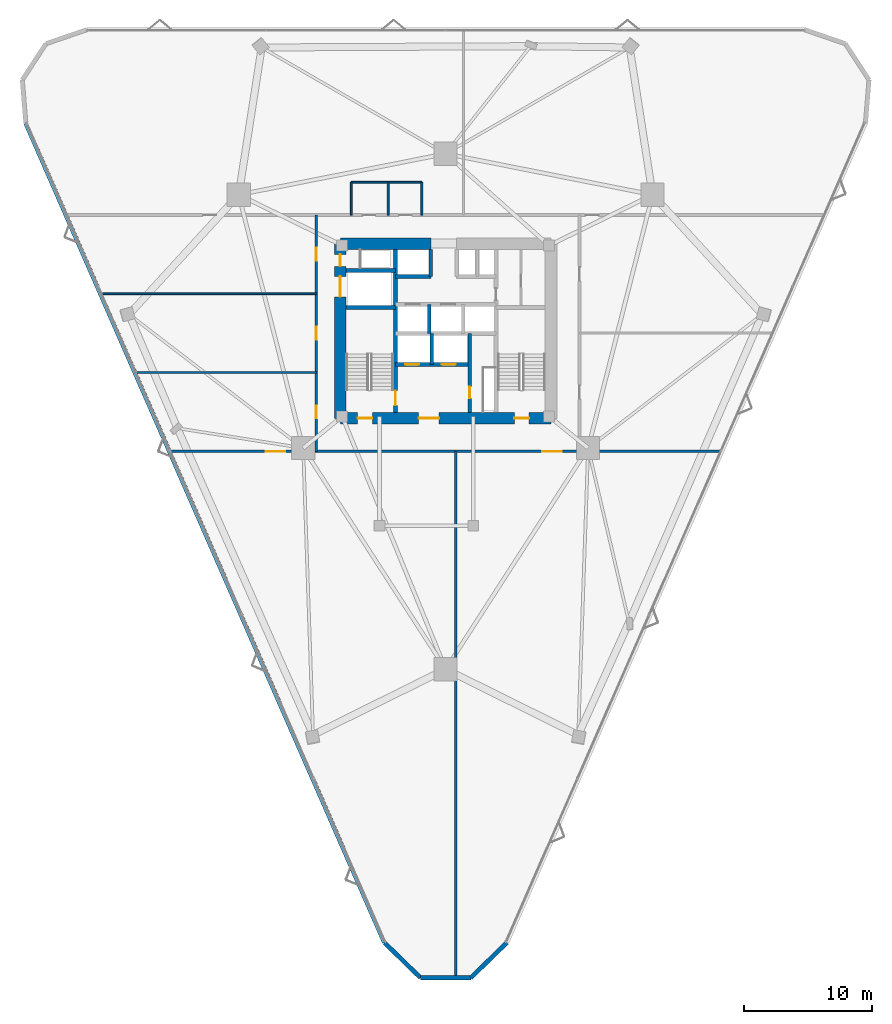
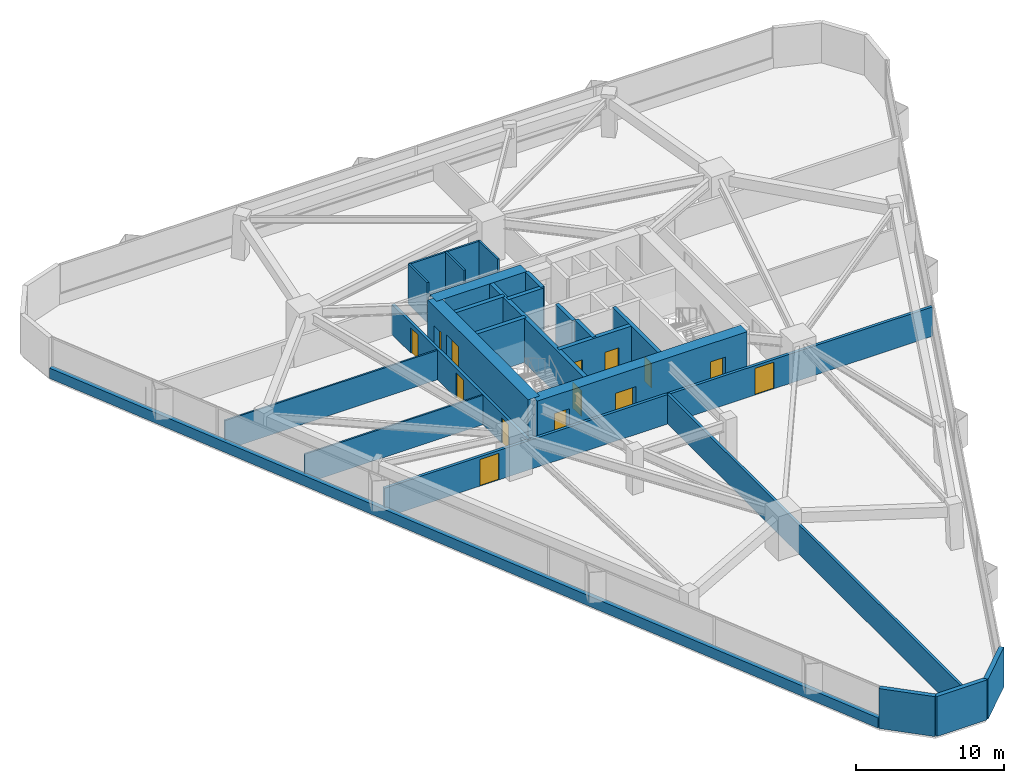
# One storey, part 17 of 20: 25 walls, 14 doors, 14 openings.
"""IFC4 building model written with IfcOpenShell, lengths in metres."""

import ifcopenshell
import ifcopenshell.guid

model = None  # the IFC model being written
_history = None  # IfcOwnerHistory: only IFC2X3 demands one
_inside = {}  # id of a spatial element -> (the spatial element, [elements in it])
_under = {}  # id of a project, library or spatial element -> (it, [spatial elements below it])
_declared = {}  # id of a project -> (the project, [libraries it declares])
_typed = {}  # id of a type object -> (the type object, [elements of that type])
_made_of = {}  # id of a material, layer set ... -> (it, [elements and type objects made of it])


def new_model(schema):
    """Start an empty IFC model of exactly this schema.

    Asked for "IFC4X3", IfcOpenShell would pick the latest addendum, in which some entities
    have other attributes; the version numbers below select the first issue.
    IFC2X3 requires an IfcOwnerHistory on every rooted entity: one is made here for all.
    """
    global model, _history
    if schema == "IFC4X3":
        model = ifcopenshell.file(schema_version=(4, 3, 0, 0))
    else:
        model = ifcopenshell.file(schema=schema)
    _inside.clear()
    _under.clear()
    _declared.clear()
    _typed.clear()
    _made_of.clear()
    _history = None
    if model.schema == "IFC2X3":
        org = make("IfcOrganization", Name="unknown")
        user = make(
            "IfcPersonAndOrganization",
            ThePerson=make("IfcPerson", FamilyName="unknown"),
            TheOrganization=org,
        )
        app = make(
            "IfcApplication",
            ApplicationDeveloper=org,
            Version="unknown",
            ApplicationFullName="unknown",
            ApplicationIdentifier="unknown",
        )
        _history = make(
            "IfcOwnerHistory",
            OwningUser=user,
            OwningApplication=app,
            ChangeAction="ADDED",
            CreationDate=0,
        )
    return model


def make(cls, **values):
    """One entity of the class cls with the attributes given. An attribute that is None is left unset."""
    return model.create_entity(
        cls, **{name: value for name, value in values.items() if value is not None}
    )


def rooted(cls, **values):
    """An entity with a GlobalId (a new one), such as an element, a storey or a relation."""
    return make(cls, GlobalId=ifcopenshell.guid.new(), OwnerHistory=_history, **values)


def si_unit(unit_type, name, prefix=None):
    """IfcSIUnit, for example si_unit("LENGTHUNIT", "METRE", prefix="MILLI")."""
    return make("IfcSIUnit", UnitType=unit_type, Prefix=prefix, Name=name)


def assignment(units):
    """IfcUnitAssignment: the units of a project."""
    return None if units is None else make("IfcUnitAssignment", Units=units)


def point(xyz):
    """IfcCartesianPoint."""
    return None if xyz is None else make("IfcCartesianPoint", Coordinates=xyz)


def direction(xyz):
    """IfcDirection."""
    return None if xyz is None else make("IfcDirection", DirectionRatios=xyz)


def frame(location, z_axis=None, x_axis=None):
    """IfcAxis2Placement3D, a coordinate frame: its origin and axes. An axis left out is left unset."""
    return make(
        "IfcAxis2Placement3D",
        Location=point(location),
        Axis=direction(z_axis),
        RefDirection=direction(x_axis),
    )


def frame_2d(location, x_axis=None):
    """IfcAxis2Placement2D, a coordinate frame in the plane: its origin and x axis."""
    return make(
        "IfcAxis2Placement2D", Location=point(location), RefDirection=direction(x_axis)
    )


def origin():
    """The frame at (0, 0, 0) with its axes left unset."""
    return frame((0.0, 0.0, 0.0))


def place(relative_to, where):
    """IfcLocalPlacement: puts the frame where relative to a parent placement (None: the world)."""
    return make(
        "IfcLocalPlacement", PlacementRelTo=relative_to, RelativePlacement=where
    )


def context(
    kind, dimensions, precision=None, world=None, true_north=None, identifier=None
):
    """IfcGeometricRepresentationContext, for example the 3D "Model" context."""
    return make(
        "IfcGeometricRepresentationContext",
        ContextIdentifier=identifier,
        ContextType=kind,
        CoordinateSpaceDimension=dimensions,
        Precision=precision,
        WorldCoordinateSystem=world,
        TrueNorth=true_north,
    )


def subcontext(parent, identifier, kind, view, scale=None):
    """IfcGeometricRepresentationSubContext, for example "Body" below "Model"."""
    return make(
        "IfcGeometricRepresentationSubContext",
        ContextIdentifier=identifier,
        ContextType=kind,
        ParentContext=parent,
        TargetScale=scale,
        TargetView=view,
    )


def project(units=None, contexts=None):
    """IfcProject with its units and contexts."""
    return rooted(
        "IfcProject",
        Name="project",
        RepresentationContexts=contexts,
        UnitsInContext=assignment(units),
    )


def spatial(cls, under=None, at=None, **own):
    """A site, building, storey or space (cls), placed at a placement, below another one or the project."""
    s = rooted(cls, ObjectPlacement=at, **own)
    if under is not None:
        _under.setdefault(under.id(), (under, []))[1].append(s)
    return s


def profile(cls, at=None, kind="AREA", **sizes):
    """A parametric profile (cls). Its sizes go by their IFC names, for example OverallWidth=200.0."""
    return make(cls, ProfileType=kind, Position=at, **sizes)


def rectangle(**sizes):
    """IfcRectangleProfileDef."""
    return profile("IfcRectangleProfileDef", **sizes)


def extrude(swept, where, along, depth):
    """IfcExtrudedAreaSolid: the profile swept, set in the frame where, extruded along a direction by depth."""
    return make(
        "IfcExtrudedAreaSolid",
        SweptArea=swept,
        Position=where,
        ExtrudedDirection=direction(along),
        Depth=depth,
    )


def shape(context_of_items, identifier, shape_type, items):
    """IfcShapeRepresentation: the items that make up one representation, for example the "Body"."""
    return make(
        "IfcShapeRepresentation",
        ContextOfItems=context_of_items,
        RepresentationIdentifier=identifier,
        RepresentationType=shape_type,
        Items=items,
    )


def material(Name=None, Category=None):
    """IfcMaterial."""
    return make("IfcMaterial", Name=Name, Category=Category)


def layer(
    of_material, thickness, ventilated=None, Name=None, Category=None, Priority=None
):
    """IfcMaterialLayer: one layer of a wall or slab, of a material (None: an air gap)."""
    return make(
        "IfcMaterialLayer",
        Material=of_material,
        LayerThickness=thickness,
        IsVentilated=ventilated,
        Name=Name,
        Category=Category,
        Priority=Priority,
    )


def layer_set(layers, Name=None):
    """IfcMaterialLayerSet."""
    return make("IfcMaterialLayerSet", MaterialLayers=layers, LayerSetName=Name)


def made_of(thing, what):
    """Note that an element or type object is made of a material, layer set ...; save() writes the relation."""
    if what is not None:
        _made_of.setdefault(what.id(), (what, []))[1].append(thing)
    return thing


def type_object(cls, material=None, **own):
    """A type object (cls), such as IfcWallType, which elements share."""
    return made_of(rooted(cls, **own), material)


def element(
    cls,
    number,
    at=None,
    inside=None,
    cuts=None,
    type_object=None,
    material=None,
    context=None,
    identifier="Body",
    shape_type=None,
    held_by="IfcProductDefinitionShape",
    body=None,
    shapes=None,
    **own,
):
    """One element of the class cls, such as IfcWall. Its Tag is "e" and its number.

    at: its placement. inside: the storey or other place that contains it. cuts: it is an
    opening in that element (IfcRelVoidsElement). A single representation is given by context,
    identifier, shape_type and body (its items); several are given by shapes. held_by: the class
    of the entity that holds the representations. save() writes the other relations.
    """
    e = rooted(cls, Tag="e%d" % number, ObjectPlacement=at, **own)
    if body is not None:
        shapes = [shape(context, identifier, shape_type, body)]
    if shapes is not None:
        e.Representation = make(held_by, Representations=shapes)
    if inside is not None:
        _inside.setdefault(inside.id(), (inside, []))[1].append(e)
    if cuts is not None:
        rooted(
            "IfcRelVoidsElement", RelatingBuildingElement=cuts, RelatedOpeningElement=e
        )
    if type_object is not None:
        _typed.setdefault(type_object.id(), (type_object, []))[1].append(e)
    return made_of(e, material)


def fill(opening, filler):
    """IfcRelFillsElement: the door or window that sits in an opening."""
    return rooted(
        "IfcRelFillsElement",
        RelatingOpeningElement=opening,
        RelatedBuildingElement=filler,
    )


def aggregate(whole, parts):
    """IfcRelAggregates: a whole, such as a stair, and the parts it consists of."""
    return rooted("IfcRelAggregates", RelatingObject=whole, RelatedObjects=parts)


def save(model, path):
    """Write the relations noted so far, then the file.

    IfcRelAggregates (storeys below a building ...), IfcRelContainedInSpatialStructure (elements
    in a storey), IfcRelDefinesByType, IfcRelAssociatesMaterial and IfcRelDeclares: one each for
    every whole, place, type object, material and project.
    """
    for whole, parts in _under.values():
        aggregate(whole, parts)
    for where, things in _inside.values():
        rooted(
            "IfcRelContainedInSpatialStructure",
            RelatedElements=things,
            RelatingStructure=where,
        )
    for kind, things in _typed.values():
        rooted("IfcRelDefinesByType", RelatedObjects=things, RelatingType=kind)
    for what, things in _made_of.values():
        rooted("IfcRelAssociatesMaterial", RelatedObjects=things, RelatingMaterial=what)
    for by, libraries in _declared.values():
        rooted("IfcRelDeclares", RelatingContext=by, RelatedDefinitions=libraries)
    model.write(path)


model = new_model("IFC4")

# Units and contexts
model_context = context("Model", 3, precision=1e-05, world=origin(), true_north=direction((0.0, 1.0)))
body_context = subcontext(model_context, "Body", "Model", "MODEL_VIEW")
ifc_project = project(units=[si_unit("LENGTHUNIT", "METRE"), si_unit("AREAUNIT", "SQUARE_METRE"), si_unit("VOLUMEUNIT", "CUBIC_METRE"), si_unit("PLANEANGLEUNIT", "RADIAN"), si_unit("MASSUNIT", "GRAM", prefix="KILO")], contexts=[model_context])

# Site, building, storey
site_placement = place(None, origin())
site = spatial("IfcSite", under=ifc_project, at=site_placement, CompositionType="ELEMENT")
building_placement = place(site_placement, origin())
building = spatial("IfcBuilding", under=site, at=building_placement, Name="Talyreon Biosciences Tower", CompositionType="ELEMENT")
storey_placement = place(building_placement, frame((0.0, 0.0, 62.949951171875)))
storey = spatial("IfcBuildingStorey", under=building, at=storey_placement, Name="L16", CompositionType="ELEMENT", Elevation=62.949951171875)

# Walls
ifc_material_1 = material(Name="Gypsum fireboard acoustic stud", Category="gypsum")
ifc_layer_1 = layer(ifc_material_1, 0.199951171875)
ifc_layer_set_1 = layer_set([ifc_layer_1], Name="Gypsum fireboard acoustic stud")
wall_type_1 = type_object("IfcWallType", Name="ChemControlPartition_200", PredefinedType="PARTITIONING", material=ifc_layer_set_1)
wall_1_placement = place(storey_placement, frame((66.800048828125, 17.7431640625, 0.0), z_axis=(0.0, 0.0, 1.0), x_axis=(0.0, 1.0, 0.0)))
element("IfcWall", 1, at=wall_1_placement, inside=storey, type_object=wall_type_1, Name="L16 Interior Wall IW-L16-SDIV1", PredefinedType="PARTITIONING", context=body_context, shape_type="SweptSolid", body=[
    extrude(rectangle(XDim=40.88671875, YDim=0.199951171875, at=frame_2d((20.443359375, 0.0))), origin(), (0.0, 0.0, 1.0), 2.429931640625),
])
ifc_material_2 = material(Name="Concrete C50/60", Category="concrete")
ifc_layer_2 = layer(ifc_material_2, 0.280029296875)
ifc_layer_set_2 = layer_set([ifc_layer_2], Name="Concrete C50/60")
wall_type_2 = type_object("IfcWallType", Name="CoreShearWall_280", PredefinedType="SHEAR", material=ifc_layer_set_2)
wall_2_placement = place(storey_placement, frame((64.919921875, 65.39990234375, 0.0), z_axis=(0.0, 0.0, 1.0), x_axis=(0.0, 1.0, 0.0)))
element("IfcWall", 2, at=wall_2_placement, inside=storey, type_object=wall_type_2, Name="L16 Core Shaft Wall SWSHD1", PredefinedType="SHEAR", context=body_context, shape_type="SweptSolid", body=[
    extrude(rectangle(XDim=2.400146484375, YDim=0.280029296875, at=frame_2d((1.2001953125, 0.0))), origin(), (0.0, 0.0, 1.0), 3.650146484375),
])
wall_3_placement = place(storey_placement, frame((64.85009765625, 72.25, 0.0), z_axis=(0.0, 0.0, 1.0), x_axis=(0.0, 1.0, 0.0)))
element("IfcWall", 3, at=wall_3_placement, inside=storey, type_object=wall_type_2, Name="L16 Core Shaft Wall SWTHW", PredefinedType="SHEAR", context=body_context, shape_type="SweptSolid", body=[
    extrude(rectangle(XDim=2.10009765625, YDim=0.280029296875, at=frame_2d((1.050048828125, 0.0))), origin(), (0.0, 0.0, 1.0), 3.650146484375),
])

# Wall, opening, door
wall_4_placement = place(storey_placement, frame((67.8798828125, 61.64990234375, 0.0), z_axis=(0.0, 0.0, 1.0), x_axis=(0.0, 1.0, 0.0)))
wall_4 = element("IfcWall", 4, at=wall_4_placement, inside=storey, type_object=wall_type_2, Name="L16 Core Shaft Wall SWFFE", PredefinedType="SHEAR", context=body_context, shape_type="SweptSolid", body=[
    extrude(rectangle(XDim=6.150146484375, YDim=0.280029296875, at=frame_2d((3.0751953125, 0.0))), origin(), (0.0, 0.0, 1.0), 3.650146484375),
])
opening_1_placement = place(wall_4_placement, frame((1.10009765625, 0.0, 0.0)))
opening_1 = element("IfcOpeningElement", 5, at=opening_1_placement, cuts=wall_4, Name="Opening DR-L16-RSE", PredefinedType="OPENING", context=body_context, shape_type="SweptSolid", body=[
    extrude(rectangle(XDim=0.919921875, YDim=2.050048828125, at=frame_2d((0.4599609375, 1.02490234375))), frame((0.0, 0.14990234375, 0.0), z_axis=(0.0, -1.0, 0.0), x_axis=(1.0, 0.0, 0.0)), (0.0, 0.0, 1.0), 0.300048828125),
])
ifc_material_3 = material(Name="Painted steel fire-rated riser door", Category="steel")
door_type_1 = type_object("IfcDoorType", Name="RiserPlantAccessDoor_920x2050", OperationType="NOTDEFINED", PredefinedType="DOOR", material=ifc_material_3)
door_1_placement = place(opening_1_placement, origin())
door_1 = element("IfcDoor", 6, at=door_1_placement, inside=storey, type_object=door_type_1, Name="L16 Core Door DR-L16-RSE", OperationType="SINGLE_SWING_RIGHT", OverallHeight=2.050048828125, OverallWidth=0.919921875, PredefinedType="DOOR", context=body_context, shape_type="SweptSolid", body=[
    extrude(rectangle(XDim=0.919921875, YDim=2.050048828125, at=frame_2d((0.4599609375, 1.02490234375))), frame((0.0, 0.02490234375, 0.0), z_axis=(0.0, -1.0, 0.0), x_axis=(1.0, 0.0, 0.0)), (0.0, 0.0, 1.0), 0.050048828125),
])
fill(opening_1, door_1)

# Wall
wall_5_placement = place(storey_placement, frame((64.719970703125, 67.800048828125, 0.0), z_axis=(0.0, 0.0, 1.0), x_axis=(0.0, 1.0, 0.0)))
element("IfcWall", 7, at=wall_5_placement, inside=storey, type_object=wall_type_2, Name="L16 Core Shaft Wall SWPLD", PredefinedType="SHEAR", context=body_context, shape_type="SweptSolid", body=[
    extrude(rectangle(XDim=2.25, YDim=0.280029296875, at=frame_2d((1.125, 0.0))), origin(), (0.0, 0.0, 1.0), 3.650146484375),
])

# Wall, opening, door
ifc_layer_3 = layer(ifc_material_2, 0.320068359375)
ifc_layer_set_3 = layer_set([ifc_layer_3], Name="Concrete C50/60")
wall_type_3 = type_object("IfcWallType", Name="CoreShearWall_320", PredefinedType="SHEAR", material=ifc_layer_set_3)
wall_6_placement = place(storey_placement, frame((62.090087890625, 61.64990234375, 0.0), z_axis=(0.0, 0.0, 1.0), x_axis=(0.0, 1.0, 0.0)))
wall_6 = element("IfcWall", 8, at=wall_6_placement, inside=storey, type_object=wall_type_3, Name="L16 Core Shaft Wall SW1E", PredefinedType="SHEAR", context=body_context, shape_type="SweptSolid", body=[
    extrude(rectangle(XDim=12.7001953125, YDim=0.320068359375, at=frame_2d((6.35009765625, 0.0))), origin(), (0.0, 0.0, 1.0), 3.650146484375),
])
opening_2_placement = place(wall_6_placement, frame((0.550048828125, 0.0, 0.0)))
opening_2 = element("IfcOpeningElement", 9, at=opening_2_placement, cuts=wall_6, Name="Opening DR-L16-FF-ST1", PredefinedType="OPENING", context=body_context, shape_type="SweptSolid", body=[
    extrude(rectangle(XDim=1.14990234375, YDim=2.14990234375, at=frame_2d((0.574951171875, 1.074951171875))), frame((0.0, 0.169921875, 0.0), z_axis=(0.0, -1.0, 0.0), x_axis=(1.0, 0.0, 0.0)), (0.0, 0.0, 1.0), 0.340087890625),
])
ifc_material_4 = material(Name="Painted steel fire door", Category="steel")
door_type_2 = type_object("IfcDoorType", Name="StairShaftFireDoor_1150x2150", OperationType="NOTDEFINED", PredefinedType="DOOR", material=ifc_material_4)
door_2_placement = place(opening_2_placement, origin())
door_2 = element("IfcDoor", 10, at=door_2_placement, inside=storey, type_object=door_type_2, Name="L16 Core Door DR-L16-FF-ST1", OperationType="SINGLE_SWING_LEFT", OverallHeight=2.14990234375, OverallWidth=1.14990234375, PredefinedType="DOOR", context=body_context, shape_type="SweptSolid", body=[
    extrude(rectangle(XDim=1.14990234375, YDim=2.14990234375, at=frame_2d((0.574951171875, 1.074951171875))), frame((0.0, 0.02490234375, 0.0), z_axis=(0.0, -1.0, 0.0), x_axis=(1.0, 0.0, 0.0)), (0.0, 0.0, 1.0), 0.050048828125),
])
fill(opening_2, door_2)

# Walls
for number, where, z_axis, x_axis, name in (
    (11, (58.25, 69.81005859375, 0.0), (0.0, 0.0, 1.0), (1.0, 0.0, 0.0), "L16 Core Shaft Wall SW1N"),
    (12, (58.25, 72.699951171875, 0.0), (0.0, 0.0, 1.0), (1.0, 0.0, 0.0), "L16 Core Shaft Wall SWGLN"),
):
    element("IfcWall", number, at=place(storey_placement, frame(where, z_axis=z_axis, x_axis=x_axis)), inside=storey, type_object=wall_type_3, Name=name, PredefinedType="SHEAR", context=body_context, shape_type="SweptSolid", body=[
        extrude(rectangle(XDim=3.840087890625, YDim=0.320068359375, at=frame_2d((1.919921875, 0.0))), origin(), (0.0, 0.0, 1.0), 3.650146484375),
    ])
wall_7_placement = place(storey_placement, frame((62.090087890625, 72.25, 0.0), z_axis=(0.0, 0.0, 1.0), x_axis=(1.0, 0.0, 0.0)))
element("IfcWall", 13, at=wall_7_placement, inside=storey, type_object=wall_type_3, Name="L16 Core Shaft Wall SWNPW", PredefinedType="SHEAR", context=body_context, shape_type="SweptSolid", body=[
    extrude(rectangle(XDim=2.760009765625, YDim=0.320068359375, at=frame_2d((1.3798828125, 0.0))), origin(), (0.0, 0.0, 1.0), 3.650146484375),
])

# Wall, openings, doors
wall_8_placement = place(storey_placement, frame((62.090087890625, 65.39990234375, 0.0), z_axis=(0.0, 0.0, 1.0), x_axis=(1.0, 0.0, 0.0)))
wall_8 = element("IfcWall", 14, at=wall_8_placement, inside=storey, type_object=wall_type_3, Name="L16 Core Shaft Wall SWFFN", PredefinedType="SHEAR", context=body_context, shape_type="SweptSolid", body=[
    extrude(rectangle(XDim=5.789794921875, YDim=0.320068359375, at=frame_2d((2.89501953125, 0.0))), origin(), (0.0, 0.0, 1.0), 3.650146484375),
])
opening_3_placement = place(wall_8_placement, frame((0.75, 0.0, 0.0)))
opening_3 = element("IfcOpeningElement", 15, at=opening_3_placement, cuts=wall_8, Name="Opening LD-L16-FL1", PredefinedType="OPENING", context=body_context, shape_type="SweptSolid", body=[
    extrude(rectangle(XDim=1.10009765625, YDim=2.199951171875, at=frame_2d((0.550048828125, 1.10009765625))), frame((0.0, 0.169921875, 0.0), z_axis=(0.0, -1.0, 0.0), x_axis=(1.0, 0.0, 0.0)), (0.0, 0.0, 1.0), 0.340087890625),
])
opening_4_placement = place(wall_8_placement, frame((3.60009765625, 0.0, 0.0)))
opening_4 = element("IfcOpeningElement", 16, at=opening_4_placement, cuts=wall_8, Name="Opening LD-L16-FL2", PredefinedType="OPENING", context=body_context, shape_type="SweptSolid", body=[
    extrude(rectangle(XDim=1.10009765625, YDim=2.199951171875, at=frame_2d((0.550048828125, 1.10009765625))), frame((0.0, 0.169921875, 0.0), z_axis=(0.0, -1.0, 0.0), x_axis=(1.0, 0.0, 0.0)), (0.0, 0.0, 1.0), 0.340087890625),
])
ifc_material_5 = material(Name="Brushed stainless-steel lift landing door", Category="steel")
door_type_3 = type_object("IfcDoorType", Name="LiftSlidingLandingDoor_1100x2200", OperationType="SLIDING_TO_LEFT", PredefinedType="DOOR", material=ifc_material_5)
door_3_placement = place(opening_3_placement, origin())
door_3 = element("IfcDoor", 17, at=door_3_placement, inside=storey, type_object=door_type_3, Name="L16 Core Door LD-L16-FL1", OperationType="SLIDING_TO_LEFT", OverallHeight=2.199951171875, OverallWidth=1.10009765625, PredefinedType="DOOR", context=body_context, shape_type="SweptSolid", body=[
    extrude(rectangle(XDim=1.10009765625, YDim=2.199951171875, at=frame_2d((0.550048828125, 1.10009765625))), frame((0.0, 0.02490234375, 0.0), z_axis=(0.0, -1.0, 0.0), x_axis=(1.0, 0.0, 0.0)), (0.0, 0.0, 1.0), 0.050048828125),
])
fill(opening_3, door_3)
door_4_placement = place(opening_4_placement, origin())
door_4 = element("IfcDoor", 18, at=door_4_placement, inside=storey, type_object=door_type_3, Name="L16 Core Door LD-L16-FL2", OperationType="SLIDING_TO_LEFT", OverallHeight=2.199951171875, OverallWidth=1.10009765625, PredefinedType="DOOR", context=body_context, shape_type="SweptSolid", body=[
    extrude(rectangle(XDim=1.10009765625, YDim=2.199951171875, at=frame_2d((0.550048828125, 1.10009765625))), frame((0.0, 0.02490234375, 0.0), z_axis=(0.0, -1.0, 0.0), x_axis=(1.0, 0.0, 0.0)), (0.0, 0.0, 1.0), 0.050048828125),
])
fill(opening_4, door_4)

ifc_material_6 = material(Name="Concrete C60/75", Category="concrete")
ifc_layer_4 = layer(ifc_material_6, 0.89990234375)
ifc_layer_set_4 = layer_set([ifc_layer_4], Name="Concrete C60/75")
wall_type_4 = type_object("IfcWallType", Name="CoreShearWall_900", PredefinedType="SHEAR", material=ifc_layer_set_4)
wall_9_placement = place(storey_placement, frame((57.800048828125, 61.199951171875, 0.0), z_axis=(0.0, 0.0, 1.0), x_axis=(1.0, 0.0, 0.0)))
wall_9 = element("IfcWall", 19, at=wall_9_placement, inside=storey, type_object=wall_type_4, Name="L16 Core Shear Wall S", PredefinedType="SHEAR", context=body_context, shape_type="SweptSolid", body=[
    extrude(rectangle(XDim=16.39990234375, YDim=0.89990234375, at=frame_2d((8.199951171875, 0.0))), origin(), (0.0, 0.0, 1.0), 3.650146484375),
])
opening_5_placement = place(wall_9_placement, frame((1.35009765625, 0.0, 0.0)))
opening_5 = element("IfcOpeningElement", 20, at=opening_5_placement, cuts=wall_9, Name="Opening DR-L16-ST1", PredefinedType="OPENING", context=body_context, shape_type="SweptSolid", body=[
    extrude(rectangle(XDim=1.14990234375, YDim=2.14990234375, at=frame_2d((0.574951171875, 1.074951171875))), frame((0.0, 0.4599609375, 0.0), z_axis=(0.0, -1.0, 0.0), x_axis=(1.0, 0.0, 0.0)), (0.0, 0.0, 1.0), 0.919921875),
])
opening_6_placement = place(wall_9_placement, frame((6.10009765625, 0.0, 0.0)))
opening_6 = element("IfcOpeningElement", 21, at=opening_6_placement, cuts=wall_9, Name="Opening DR-L16-FFL", PredefinedType="OPENING", context=body_context, shape_type="SweptSolid", body=[
    extrude(rectangle(XDim=1.60009765625, YDim=2.14990234375, at=frame_2d((0.800048828125, 1.074951171875))), frame((0.0, 0.4599609375, 0.0), z_axis=(0.0, -1.0, 0.0), x_axis=(1.0, 0.0, 0.0)), (0.0, 0.0, 1.0), 0.919921875),
])
opening_7_placement = place(wall_9_placement, frame((13.550048828125, 0.0, 0.0)))
opening_7 = element("IfcOpeningElement", 22, at=opening_7_placement, cuts=wall_9, Name="Opening DR-L16-ST2", PredefinedType="OPENING", context=body_context, shape_type="SweptSolid", body=[
    extrude(rectangle(XDim=1.14990234375, YDim=2.14990234375, at=frame_2d((0.574951171875, 1.074951171875))), frame((0.0, 0.4599609375, 0.0), z_axis=(0.0, -1.0, 0.0), x_axis=(1.0, 0.0, 0.0)), (0.0, 0.0, 1.0), 0.919921875),
])
ifc_material_7 = material(Name="Painted steel smoke-seal fire door", Category="steel")
door_type_4 = type_object("IfcDoorType", Name="FirefightingLobbyDoubleDoor_1600x2150", OperationType="DOUBLE_DOOR_SINGLE_SWING", PredefinedType="DOOR", material=ifc_material_7)
door_5_placement = place(opening_6_placement, origin())
door_5 = element("IfcDoor", 23, at=door_5_placement, inside=storey, type_object=door_type_4, Name="L16 Core Door DR-L16-FFL", OperationType="DOUBLE_DOOR_SINGLE_SWING", OverallHeight=2.14990234375, OverallWidth=1.60009765625, PredefinedType="DOOR", context=body_context, shape_type="SweptSolid", body=[
    extrude(rectangle(XDim=1.60009765625, YDim=2.14990234375, at=frame_2d((0.800048828125, 1.074951171875))), frame((0.0, 0.02490234375, 0.0), z_axis=(0.0, -1.0, 0.0), x_axis=(1.0, 0.0, 0.0)), (0.0, 0.0, 1.0), 0.050048828125),
])
fill(opening_6, door_5)
door_6_placement = place(opening_5_placement, origin())
door_6 = element("IfcDoor", 24, at=door_6_placement, inside=storey, type_object=door_type_2, Name="L16 Core Door DR-L16-ST1", OperationType="SINGLE_SWING_LEFT", OverallHeight=2.14990234375, OverallWidth=1.14990234375, PredefinedType="DOOR", context=body_context, shape_type="SweptSolid", body=[
    extrude(rectangle(XDim=1.14990234375, YDim=2.14990234375, at=frame_2d((0.574951171875, 1.074951171875))), frame((0.0, 0.02490234375, 0.0), z_axis=(0.0, -1.0, 0.0), x_axis=(1.0, 0.0, 0.0)), (0.0, 0.0, 1.0), 0.050048828125),
])
fill(opening_5, door_6)
door_7_placement = place(opening_7_placement, origin())
door_7 = element("IfcDoor", 25, at=door_7_placement, inside=storey, type_object=door_type_2, Name="L16 Core Door DR-L16-ST2", OperationType="SINGLE_SWING_RIGHT", OverallHeight=2.14990234375, OverallWidth=1.14990234375, PredefinedType="DOOR", context=body_context, shape_type="SweptSolid", body=[
    extrude(rectangle(XDim=1.14990234375, YDim=2.14990234375, at=frame_2d((0.574951171875, 1.074951171875))), frame((0.0, 0.02490234375, 0.0), z_axis=(0.0, -1.0, 0.0), x_axis=(1.0, 0.0, 0.0)), (0.0, 0.0, 1.0), 0.050048828125),
])
fill(opening_7, door_7)

# Wall
wall_10_placement = place(storey_placement, frame((64.85009765625, 74.800048828125, 0.0), z_axis=(0.0, 0.0, 1.0), x_axis=(-1.0, 0.0, 0.0)))
element("IfcWall", 26, at=wall_10_placement, inside=storey, type_object=wall_type_4, Name="L16 Core Shear Wall NW", PredefinedType="SHEAR", context=body_context, shape_type="SweptSolid", body=[
    extrude(rectangle(XDim=7.050048828125, YDim=0.89990234375, at=frame_2d((3.52490234375, 0.0))), origin(), (0.0, 0.0, 1.0), 3.650146484375),
])

# Wall, openings, doors
wall_11_placement = place(storey_placement, frame((57.800048828125, 74.800048828125, 0.0), z_axis=(0.0, 0.0, 1.0), x_axis=(0.0, -1.0, 0.0)))
wall_11 = element("IfcWall", 27, at=wall_11_placement, inside=storey, type_object=wall_type_4, Name="L16 Core Shear Wall W", PredefinedType="SHEAR", context=body_context, shape_type="SweptSolid", body=[
    extrude(rectangle(XDim=13.60009765625, YDim=0.89990234375, at=frame_2d((6.800048828125, 0.0))), origin(), (0.0, 0.0, 1.0), 3.650146484375),
])
opening_8_placement = place(wall_11_placement, frame((0.85009765625, 0.0, 0.0)))
opening_8 = element("IfcOpeningElement", 28, at=opening_8_placement, cuts=wall_11, Name="Opening DR-L16-RSW", PredefinedType="OPENING", context=body_context, shape_type="SweptSolid", body=[
    extrude(rectangle(XDim=0.919921875, YDim=2.050048828125, at=frame_2d((0.4599609375, 1.02490234375))), frame((0.0, 0.4599609375, 0.0), z_axis=(0.0, -1.0, 0.0), x_axis=(1.0, 0.0, 0.0)), (0.0, 0.0, 1.0), 0.919921875),
])
opening_9_placement = place(wall_11_placement, frame((2.550048828125, 0.0, 0.0)))
opening_9 = element("IfcOpeningElement", 29, at=opening_9_placement, cuts=wall_11, Name="Opening LD-L16-GL1", PredefinedType="OPENING", context=body_context, shape_type="SweptSolid", body=[
    extrude(rectangle(XDim=1.60009765625, YDim=2.300048828125, at=frame_2d((0.800048828125, 1.14990234375))), frame((0.0, 0.4599609375, 0.0), z_axis=(0.0, -1.0, 0.0), x_axis=(1.0, 0.0, 0.0)), (0.0, 0.0, 1.0), 0.919921875),
])
ifc_material_8 = material(Name="Heavy-duty stainless-steel goods lift door", Category="steel")
door_type_5 = type_object("IfcDoorType", Name="GoodsLiftSlidingDoor_1600x2300", OperationType="DOUBLE_DOOR_SLIDING", PredefinedType="DOOR", material=ifc_material_8)
door_8_placement = place(opening_9_placement, origin())
door_8 = element("IfcDoor", 30, at=door_8_placement, inside=storey, type_object=door_type_5, Name="L16 Core Door LD-L16-GL1", OperationType="DOUBLE_DOOR_SLIDING", OverallHeight=2.300048828125, OverallWidth=1.60009765625, PredefinedType="DOOR", context=body_context, shape_type="SweptSolid", body=[
    extrude(rectangle(XDim=1.60009765625, YDim=2.300048828125, at=frame_2d((0.800048828125, 1.14990234375))), frame((0.0, 0.02490234375, 0.0), z_axis=(0.0, -1.0, 0.0), x_axis=(1.0, 0.0, 0.0)), (0.0, 0.0, 1.0), 0.050048828125),
])
fill(opening_9, door_8)
door_9_placement = place(opening_8_placement, origin())
door_9 = element("IfcDoor", 31, at=door_9_placement, inside=storey, type_object=door_type_1, Name="L16 Core Door DR-L16-RSW", OperationType="SINGLE_SWING_LEFT", OverallHeight=2.050048828125, OverallWidth=0.919921875, PredefinedType="DOOR", context=body_context, shape_type="SweptSolid", body=[
    extrude(rectangle(XDim=0.919921875, YDim=2.050048828125, at=frame_2d((0.4599609375, 1.02490234375))), frame((0.0, 0.02490234375, 0.0), z_axis=(0.0, -1.0, 0.0), x_axis=(1.0, 0.0, 0.0)), (0.0, 0.0, 1.0), 0.050048828125),
])
fill(opening_8, door_9)

ifc_layer_5 = layer(ifc_material_1, 0.219970703125)
ifc_layer_set_5 = layer_set([ifc_layer_5], Name="Gypsum fireboard acoustic stud")
wall_type_5 = type_object("IfcWallType", Name="CorridorRatedPartition_220", PredefinedType="PARTITIONING", material=ifc_layer_set_5)
wall_12_placement = place(storey_placement, frame((44.591796875, 58.6298828125, 0.0), z_axis=(0.0, 0.0, 1.0), x_axis=(1.0, 0.0, 0.0)))
wall_12 = element("IfcWall", 32, at=wall_12_placement, inside=storey, type_object=wall_type_5, Name="L16 Interior Wall IW-L16-COR-S", PredefinedType="PARTITIONING", context=body_context, shape_type="SweptSolid", body=[
    extrude(rectangle(XDim=42.81640625, YDim=0.219970703125, at=frame_2d((21.408203125, 0.0))), origin(), (0.0, 0.0, 1.0), 2.429931640625),
])
opening_10_placement = place(wall_12_placement, frame((7.426025390625, 0.0, 0.0)))
opening_10 = element("IfcOpeningElement", 33, at=opening_10_placement, cuts=wall_12, Name="Opening DR-L16-S1A", PredefinedType="OPENING", context=body_context, shape_type="SweptSolid", body=[
    extrude(rectangle(XDim=1.5, YDim=2.199951171875, at=frame_2d((0.75, 1.10009765625))), frame((0.0, 0.119873046875, 0.0), z_axis=(0.0, -1.0, 0.0), x_axis=(1.0, 0.0, 0.0)), (0.0, 0.0, 1.0), 0.239990234375),
])
opening_11_placement = place(wall_12_placement, frame((28.924072265625, 0.0, 0.0)))
opening_11 = element("IfcOpeningElement", 34, at=opening_11_placement, cuts=wall_12, Name="Opening DR-L16-S2A", PredefinedType="OPENING", context=body_context, shape_type="SweptSolid", body=[
    extrude(rectangle(XDim=1.5, YDim=2.199951171875, at=frame_2d((0.75, 1.10009765625))), frame((0.0, 0.119873046875, 0.0), z_axis=(0.0, -1.0, 0.0), x_axis=(1.0, 0.0, 0.0)), (0.0, 0.0, 1.0), 0.239990234375),
])
ifc_material_9 = material(Name="Vision-panel steel laboratory fire door", Category="steel")
door_type_6 = type_object("IfcDoorType", Name="WetLabDoubleLeafDoor_1500x2200", OperationType="DOUBLE_DOOR_SINGLE_SWING", PredefinedType="DOOR", material=ifc_material_9)
door_10_placement = place(opening_10_placement, origin())
door_10 = element("IfcDoor", 35, at=door_10_placement, inside=storey, type_object=door_type_6, Name="L16 Interior Door DR-L16-S1A", OperationType="DOUBLE_DOOR_SINGLE_SWING", OverallHeight=2.199951171875, OverallWidth=1.5, PredefinedType="DOOR", context=body_context, shape_type="SweptSolid", body=[
    extrude(rectangle(XDim=1.5, YDim=2.199951171875, at=frame_2d((0.75, 1.10009765625))), frame((0.0, 0.02490234375, 0.0), z_axis=(0.0, -1.0, 0.0), x_axis=(1.0, 0.0, 0.0)), (0.0, 0.0, 1.0), 0.050048828125),
])
fill(opening_10, door_10)
door_11_placement = place(opening_11_placement, origin())
door_11 = element("IfcDoor", 36, at=door_11_placement, inside=storey, type_object=door_type_6, Name="L16 Interior Door DR-L16-S2A", OperationType="DOUBLE_DOOR_SINGLE_SWING", OverallHeight=2.199951171875, OverallWidth=1.5, PredefinedType="DOOR", context=body_context, shape_type="SweptSolid", body=[
    extrude(rectangle(XDim=1.5, YDim=2.199951171875, at=frame_2d((0.75, 1.10009765625))), frame((0.0, 0.02490234375, 0.0), z_axis=(0.0, -1.0, 0.0), x_axis=(1.0, 0.0, 0.0)), (0.0, 0.0, 1.0), 0.050048828125),
])
fill(opening_11, door_11)

wall_13_placement = place(storey_placement, frame((55.929931640625, 58.6298828125, 0.0), z_axis=(0.0, 0.0, 1.0), x_axis=(0.0, 1.0, 0.0)))
wall_13 = element("IfcWall", 37, at=wall_13_placement, inside=storey, type_object=wall_type_5, Name="L16 Interior Wall IW-L16-COR-W", PredefinedType="PARTITIONING", context=body_context, shape_type="SweptSolid", body=[
    extrude(rectangle(XDim=18.39013671875, YDim=0.219970703125, at=frame_2d((9.195068359375, 0.0))), origin(), (0.0, 0.0, 1.0), 2.47998046875),
])
opening_12_placement = place(wall_13_placement, frame((2.56494140625, 0.0, 0.0)))
opening_12 = element("IfcOpeningElement", 38, at=opening_12_placement, cuts=wall_13, Name="Opening DR-L16-W1A", PredefinedType="OPENING", context=body_context, shape_type="SweptSolid", body=[
    extrude(rectangle(XDim=1.0, YDim=2.10009765625, at=frame_2d((0.5, 1.050048828125))), frame((0.0, 0.119873046875, 0.0), z_axis=(0.0, -1.0, 0.0), x_axis=(1.0, 0.0, 0.0)), (0.0, 0.0, 1.0), 0.239990234375),
])
opening_13_placement = place(wall_13_placement, frame((8.695068359375, 0.0, 0.0)))
opening_13 = element("IfcOpeningElement", 39, at=opening_13_placement, cuts=wall_13, Name="Opening DR-L16-W2A", PredefinedType="OPENING", context=body_context, shape_type="SweptSolid", body=[
    extrude(rectangle(XDim=1.0, YDim=2.10009765625, at=frame_2d((0.5, 1.050048828125))), frame((0.0, 0.119873046875, 0.0), z_axis=(0.0, -1.0, 0.0), x_axis=(1.0, 0.0, 0.0)), (0.0, 0.0, 1.0), 0.239990234375),
])
opening_14_placement = place(wall_13_placement, frame((14.824951171875, 0.0, 0.0)))
opening_14 = element("IfcOpeningElement", 40, at=opening_14_placement, cuts=wall_13, Name="Opening DR-L16-W3A", PredefinedType="OPENING", context=body_context, shape_type="SweptSolid", body=[
    extrude(rectangle(XDim=1.0, YDim=2.10009765625, at=frame_2d((0.5, 1.050048828125))), frame((0.0, 0.119873046875, 0.0), z_axis=(0.0, -1.0, 0.0), x_axis=(1.0, 0.0, 0.0)), (0.0, 0.0, 1.0), 0.239990234375),
])
ifc_material_10 = material(Name="Acoustic oak veneer office door", Category="wood")
door_type_7 = type_object("IfcDoorType", Name="WriteupOfficeDoor_1000x2100", OperationType="NOTDEFINED", PredefinedType="DOOR", material=ifc_material_10)
door_12_placement = place(opening_12_placement, origin())
door_12 = element("IfcDoor", 41, at=door_12_placement, inside=storey, type_object=door_type_7, Name="L16 Interior Door DR-L16-W1A", OperationType="SINGLE_SWING_LEFT", OverallHeight=2.10009765625, OverallWidth=1.0, PredefinedType="DOOR", context=body_context, shape_type="SweptSolid", body=[
    extrude(rectangle(XDim=1.0, YDim=2.10009765625, at=frame_2d((0.5, 1.050048828125))), frame((0.0, 0.02490234375, 0.0), z_axis=(0.0, -1.0, 0.0), x_axis=(1.0, 0.0, 0.0)), (0.0, 0.0, 1.0), 0.050048828125),
])
fill(opening_12, door_12)
door_13_placement = place(opening_13_placement, origin())
door_13 = element("IfcDoor", 42, at=door_13_placement, inside=storey, type_object=door_type_7, Name="L16 Interior Door DR-L16-W2A", OperationType="SINGLE_SWING_RIGHT", OverallHeight=2.10009765625, OverallWidth=1.0, PredefinedType="DOOR", context=body_context, shape_type="SweptSolid", body=[
    extrude(rectangle(XDim=1.0, YDim=2.10009765625, at=frame_2d((0.5, 1.050048828125))), frame((0.0, 0.02490234375, 0.0), z_axis=(0.0, -1.0, 0.0), x_axis=(1.0, 0.0, 0.0)), (0.0, 0.0, 1.0), 0.050048828125),
])
fill(opening_13, door_13)
door_14_placement = place(opening_14_placement, origin())
door_14 = element("IfcDoor", 43, at=door_14_placement, inside=storey, type_object=door_type_7, Name="L16 Interior Door DR-L16-W3A", OperationType="SINGLE_SWING_LEFT", OverallHeight=2.10009765625, OverallWidth=1.0, PredefinedType="DOOR", context=body_context, shape_type="SweptSolid", body=[
    extrude(rectangle(XDim=1.0, YDim=2.10009765625, at=frame_2d((0.5, 1.050048828125))), frame((0.0, 0.02490234375, 0.0), z_axis=(0.0, -1.0, 0.0), x_axis=(1.0, 0.0, 0.0)), (0.0, 0.0, 1.0), 0.050048828125),
])
fill(opening_14, door_14)

# Walls
ifc_material_11 = material(Name="Gypsum acoustic stud partition", Category="gypsum")
ifc_layer_6 = layer(ifc_material_11, 0.1298828125)
ifc_layer_set_6 = layer_set([ifc_layer_6], Name="Gypsum acoustic stud partition")
wall_type_6 = type_object("IfcWallType", Name="OfficeWriteupPartition_130", PredefinedType="PARTITIONING", material=ifc_layer_set_6)
wall_14_placement = place(storey_placement, frame((41.90869140625, 64.760009765625, 0.0), z_axis=(0.0, 0.0, 1.0), x_axis=(1.0, 0.0, 0.0)))
element("IfcWall", 44, at=wall_14_placement, inside=storey, type_object=wall_type_6, Name="L16 Interior Wall IW-L16-WDIV1", PredefinedType="PARTITIONING", context=body_context, shape_type="SweptSolid", body=[
    extrude(rectangle(XDim=14.021240234375, YDim=0.1298828125, at=frame_2d((7.0107421875, 0.0))), origin(), (0.0, 0.0, 1.0), 2.429931640625),
])
wall_15_placement = place(storey_placement, frame((39.2255859375, 70.889892578125, 0.0), z_axis=(0.0, 0.0, 1.0), x_axis=(1.0, 0.0, 0.0)))
element("IfcWall", 45, at=wall_15_placement, inside=storey, type_object=wall_type_6, Name="L16 Interior Wall IW-L16-WDIV2", PredefinedType="PARTITIONING", context=body_context, shape_type="SweptSolid", body=[
    extrude(rectangle(XDim=16.704345703125, YDim=0.1298828125, at=frame_2d((8.35205078125, 0.0))), origin(), (0.0, 0.0, 1.0), 2.429931640625),
])
ifc_material_12 = material(Name="Precast concrete C45/55", Category="concrete")
ifc_layer_7 = layer(ifc_material_12, 0.340087890625)
ifc_layer_set_7 = layer_set([ifc_layer_7], Name="Precast concrete C45/55")
wall_type_7 = type_object("IfcWallType", Name="PrecastConcreteSpandrelWall_340", PredefinedType="STANDARD", material=ifc_layer_set_7)
wall_16_placement = place(storey_placement, frame((61.236328125, 20.390380859375, 0.0), z_axis=(0.0, 0.0, 1.0), x_axis=(-0.400969676651, 0.916091326455, 0.0)))
element("IfcWall", 46, at=wall_16_placement, inside=storey, type_object=wall_type_7, Name="L16 Expressed Concrete Sill Wall 00", PredefinedType="STANDARD", context=body_context, shape_type="SweptSolid", body=[
    extrude(rectangle(XDim=69.6201171875, YDim=0.340087890625, at=frame_2d((34.81005859375, 0.0))), origin(), (0.0, 0.0, 1.0), 0.85009765625),
])
wall_17_placement = place(storey_placement, frame((70.763671875, 20.390380859375, 0.0), z_axis=(0.0, 0.0, 1.0), x_axis=(-0.716426907231, -0.697662157921, 0.0)))
element("IfcWall", 47, at=wall_17_placement, inside=storey, type_object=wall_type_7, Name="L16 Rounded-Corner Concrete Pier 09", PredefinedType="STANDARD", context=body_context, shape_type="SweptSolid", body=[
    extrude(rectangle(XDim=3.916259765625, YDim=0.340087890625, at=frame_2d((1.9580078125, 0.0))), origin(), (0.0, 0.0, 1.0), 3.300048828125),
])
wall_18_placement = place(storey_placement, frame((67.9580078125, 17.658203125, 0.0), z_axis=(0.0, 0.0, 1.0), x_axis=(-1.0, 0.0, 0.0)))
element("IfcWall", 48, at=wall_18_placement, inside=storey, type_object=wall_type_7, Name="L16 Rounded-Corner Concrete Pier 10", PredefinedType="STANDARD", context=body_context, shape_type="SweptSolid", body=[
    extrude(rectangle(XDim=3.916015625, YDim=0.340087890625, at=frame_2d((1.9580078125, 0.0))), origin(), (0.0, 0.0, 1.0), 3.300048828125),
])
wall_19_placement = place(storey_placement, frame((64.0419921875, 17.658203125, 0.0), z_axis=(0.0, 0.0, 1.0), x_axis=(-0.716426907231, 0.697662157921, 0.0)))
element("IfcWall", 49, at=wall_19_placement, inside=storey, type_object=wall_type_7, Name="L16 Rounded-Corner Concrete Pier 11", PredefinedType="STANDARD", context=body_context, shape_type="SweptSolid", body=[
    extrude(rectangle(XDim=3.916259765625, YDim=0.340087890625, at=frame_2d((1.9580078125, 0.0))), origin(), (0.0, 0.0, 1.0), 3.300048828125),
])
ifc_material_13 = material(Name="Moisture-resistant cement-board stud", Category="gypsum")
ifc_layer_8 = layer(ifc_material_13, 0.14501953125)
ifc_layer_set_8 = layer_set([ifc_layer_8], Name="Moisture-resistant cement-board stud")
wall_type_8 = type_object("IfcWallType", Name="WetRoomPartition_145", PredefinedType="PARTITIONING", material=ifc_layer_set_8)
for number, where, z_axis, x_axis, name in (
    (50, (58.64990234375, 77.02001953125, 0.0), (0.0, 0.0, 1.0), (0.0, 1.0, 0.0), "L16 Interior Wall IW-L16-WCL"),
    (51, (61.52490234375, 77.02001953125, 0.0), (0.0, 0.0, 1.0), (0.0, 1.0, 0.0), "L16 Interior Wall IW-L16-WCM"),
    (52, (64.14990234375, 77.02001953125, 0.0), (0.0, 0.0, 1.0), (0.0, 1.0, 0.0), "L16 Interior Wall IW-L16-WCR"),
):
    element("IfcWall", number, at=place(storey_placement, frame(where, z_axis=z_axis, x_axis=x_axis)), inside=storey, type_object=wall_type_8, Name=name, PredefinedType="PARTITIONING", context=body_context, shape_type="SweptSolid", body=[
        extrude(rectangle(XDim=2.550048828125, YDim=0.14501953125, at=frame_2d((1.27490234375, 0.0))), origin(), (0.0, 0.0, 1.0), 3.300048828125),
    ])
wall_20_placement = place(storey_placement, frame((58.64990234375, 79.570068359375, 0.0), z_axis=(0.0, 0.0, 1.0), x_axis=(1.0, 0.0, 0.0)))
element("IfcWall", 53, at=wall_20_placement, inside=storey, type_object=wall_type_8, Name="L16 Interior Wall IW-L16-WCT", PredefinedType="PARTITIONING", context=body_context, shape_type="SweptSolid", body=[
    extrude(rectangle(XDim=5.5, YDim=0.14501953125, at=frame_2d((2.75, 0.0))), origin(), (0.0, 0.0, 1.0), 3.300048828125),
])

save(model, "model.ifc")
